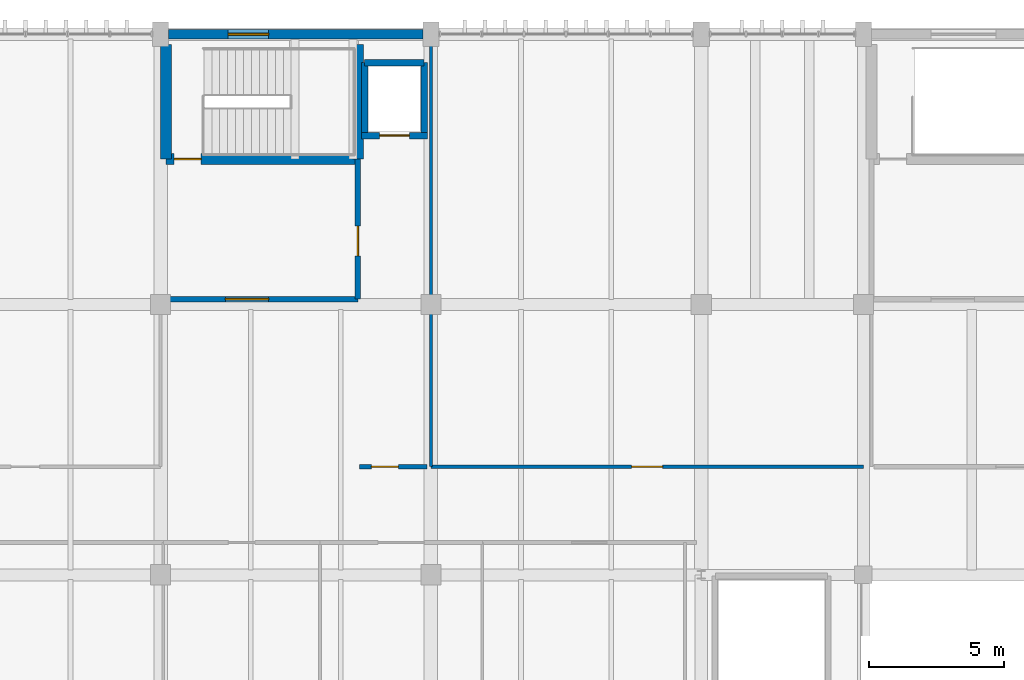
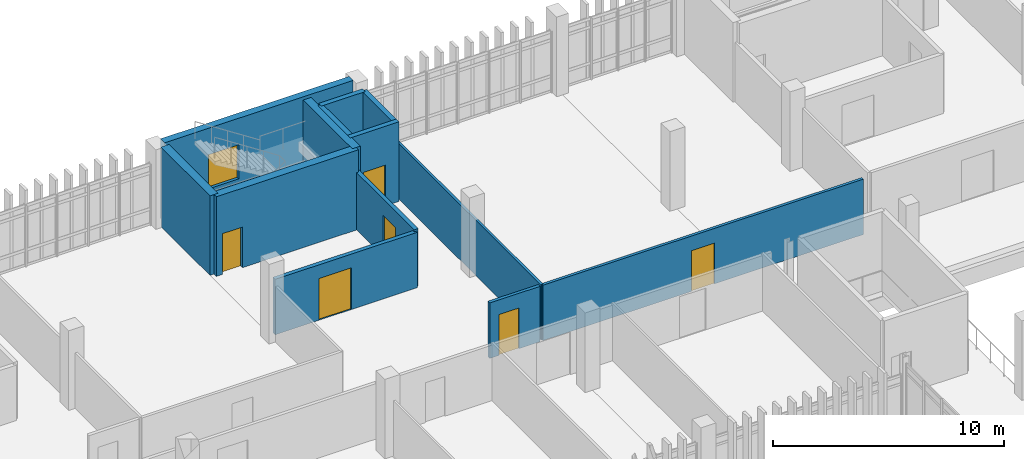
# One storey, part 149 of 161: 13 walls, 6 doors, 1 window, 7 openings.
"""IFC4 building model written with IfcOpenShell, lengths in metres."""

from ifc_helpers import new_model, si_unit, direction, frame, frame_2d, origin, place, context, subcontext, project, spatial, rectangle, extrude, material, layer, layer_set, type_object, element, fill, save


model = new_model("IFC4")

# Units and contexts
model_context = context("Model", 3, precision=1e-05, world=origin(), true_north=direction((0.0, 1.0)))
body_context = subcontext(model_context, "Body", "Model", "MODEL_VIEW")
ifc_project = project(units=[si_unit("LENGTHUNIT", "METRE"), si_unit("AREAUNIT", "SQUARE_METRE"), si_unit("VOLUMEUNIT", "CUBIC_METRE"), si_unit("PLANEANGLEUNIT", "RADIAN"), si_unit("MASSUNIT", "GRAM", prefix="KILO")], contexts=[model_context])

# Site, building, storey
site_placement = place(None, origin())
site = spatial("IfcSite", under=ifc_project, at=site_placement, CompositionType="ELEMENT")
building_placement = place(site_placement, origin())
building = spatial("IfcBuilding", under=site, at=building_placement, Name="Mersad Railyard Sports Hall", CompositionType="ELEMENT")
storey_placement = place(building_placement, frame((0.0, 0.0, 4.800048828125)))
storey = spatial("IfcBuildingStorey", under=building, at=storey_placement, Name="L01", CompositionType="ELEMENT", Elevation=4.800048828125)

# Wall, opening, window
ifc_material_1 = material(Name="Architectural concrete C50/60", Category="concrete")
ifc_layer_1 = layer(ifc_material_1, 0.35009765625)
ifc_layer_set_1 = layer_set([ifc_layer_1], Name="Architectural concrete C50/60")
wall_type_1 = type_object("IfcWallType", Name="ARC-WL-EW02", PredefinedType="SOLIDWALL", material=ifc_layer_set_1)
wall_1_placement = place(storey_placement, frame((111.300048828125, 115.0, 0.0), z_axis=(0.0, 0.0, 1.0), x_axis=(1.0, 0.0, 0.0)))
wall_1 = element("IfcWall", 1, at=wall_1_placement, inside=storey, type_object=wall_type_1, Name="External wall EW02-0113", PredefinedType="SOLIDWALL", context=body_context, shape_type="SweptSolid", body=[
    extrude(rectangle(XDim=9.39990234375, YDim=0.35009765625, at=frame_2d((4.699951171875, 0.0))), origin(), (0.0, 0.0, 1.0), 4.199951171875),
])
opening_1_placement = place(wall_1_placement, frame((2.199951171875, 0.0, 1.0)))
opening_1 = element("IfcOpeningElement", 2, at=opening_1_placement, cuts=wall_1, Name="Opening W10", PredefinedType="OPENING", context=body_context, shape_type="SweptSolid", body=[
    extrude(rectangle(XDim=1.5, YDim=1.800048828125, at=frame_2d((0.75, 0.89990234375))), frame((0.0, 0.18505859375, 0.0), z_axis=(0.0, -1.0, 0.0), x_axis=(1.0, 0.0, 0.0)), (0.0, 0.0, 1.0), 0.3701171875),
])
ifc_material_2 = material(Name="Solar-control glass", Category="glass")
window_type = type_object("IfcWindowType", Name="ARC-WN-W10", PartitioningType="SINGLE_PANEL", PredefinedType="WINDOW", material=ifc_material_2)
window_placement = place(opening_1_placement, origin())
window = element("IfcWindow", 3, at=window_placement, inside=storey, type_object=window_type, Name="Window W10-0030", OverallHeight=1.800048828125, OverallWidth=1.5, PartitioningType="SINGLE_PANEL", PredefinedType="WINDOW", context=body_context, shape_type="SweptSolid", body=[
    extrude(rectangle(XDim=1.5, YDim=1.800048828125, at=frame_2d((0.75, 0.89990234375))), frame((0.0, 0.030029296875, 0.0), z_axis=(0.0, -1.0, 0.0), x_axis=(1.0, 0.0, 0.0)), (0.0, 0.0, 1.0), 0.06005859375),
])
fill(opening_1, window)

# Wall, opening, door
ifc_material_3 = material(Name="Precast concrete C45/55", Category="concrete")
ifc_layer_2 = layer(ifc_material_3, 0.199951171875)
ifc_layer_set_2 = layer_set([ifc_layer_2], Name="Precast concrete C45/55")
wall_type_2 = type_object("IfcWallType", Name="ARC-WL-PT01", PredefinedType="PARTITIONING", material=ifc_layer_set_2)
wall_2_placement = place(storey_placement, frame((111.199951171875, 105.199951171875, 0.0), z_axis=(0.0, 0.0, 1.0), x_axis=(1.0, 0.0, 0.0)))
wall_2 = element("IfcWall", 4, at=wall_2_placement, inside=storey, type_object=wall_type_2, Name="Interior wall PT01-0250", PredefinedType="PARTITIONING", context=body_context, shape_type="SweptSolid", body=[
    extrude(rectangle(XDim=7.10009765625, YDim=0.199951171875, at=frame_2d((3.550048828125, 0.0))), origin(), (0.0, 0.0, 1.0), 2.925048828125),
])
opening_2_placement = place(wall_2_placement, frame((2.199951171875, 0.0, 0.0)))
opening_2 = element("IfcOpeningElement", 5, at=opening_2_placement, cuts=wall_2, Name="Opening FD04", PredefinedType="OPENING", context=body_context, shape_type="SweptSolid", body=[
    extrude(rectangle(XDim=1.60009765625, YDim=2.199951171875, at=frame_2d((0.800048828125, 1.10009765625))), frame((0.0, 0.10986328125, 0.0), z_axis=(0.0, -1.0, 0.0), x_axis=(1.0, 0.0, 0.0)), (0.0, 0.0, 1.0), 0.219970703125),
])
ifc_material_4 = material(Name="Steel S355", Category="steel")
door_type_1 = type_object("IfcDoorType", Name="ARC-DR-FD04", OperationType="NOTDEFINED", PredefinedType="DOOR", material=ifc_material_4)
door_1_placement = place(opening_2_placement, origin())
door_1 = element("IfcDoor", 6, at=door_1_placement, inside=storey, type_object=door_type_1, Name="C3 firefighting lobby door FD04-0106", OperationType="DOUBLE_DOOR_SINGLE_SWING", OverallHeight=2.199951171875, OverallWidth=1.60009765625, PredefinedType="DOOR", context=body_context, shape_type="SweptSolid", body=[
    extrude(rectangle(XDim=1.60009765625, YDim=2.199951171875, at=frame_2d((0.800048828125, 1.10009765625))), frame((0.0, 0.02490234375, 0.0), z_axis=(0.0, -1.0, 0.0), x_axis=(1.0, 0.0, 0.0)), (0.0, 0.0, 1.0), 0.050048828125),
])
fill(opening_2, door_1)

wall_3_placement = place(storey_placement, frame((118.300048828125, 105.199951171875, 0.0), z_axis=(0.0, 0.0, 1.0), x_axis=(0.0, 1.0, 0.0)))
wall_3 = element("IfcWall", 7, at=wall_3_placement, inside=storey, type_object=wall_type_2, Name="Interior wall PT01-0251", PredefinedType="PARTITIONING", context=body_context, shape_type="SweptSolid", body=[
    extrude(rectangle(XDim=5.179931640625, YDim=0.199951171875, at=frame_2d((2.58984375, 0.0))), origin(), (0.0, 0.0, 1.0), 3.02490234375),
])
opening_3_placement = place(wall_3_placement, frame((1.60009765625, 0.0, 0.0)))
opening_3 = element("IfcOpeningElement", 8, at=opening_3_placement, cuts=wall_3, Name="Opening FD01", PredefinedType="OPENING", context=body_context, shape_type="SweptSolid", body=[
    extrude(rectangle(XDim=1.10009765625, YDim=2.14990234375, at=frame_2d((0.550048828125, 1.074951171875))), frame((0.0, 0.10986328125, 0.0), z_axis=(0.0, -1.0, 0.0), x_axis=(1.0, 0.0, 0.0)), (0.0, 0.0, 1.0), 0.219970703125),
])
door_type_2 = type_object("IfcDoorType", Name="ARC-DR-FD01", OperationType="NOTDEFINED", PredefinedType="DOOR", material=ifc_material_4)
door_2_placement = place(opening_3_placement, origin())
door_2 = element("IfcDoor", 9, at=door_2_placement, inside=storey, type_object=door_type_2, Name="C3 lift-to-firefighting lobby door FD01-0107", OperationType="SINGLE_SWING_RIGHT", OverallHeight=2.14990234375, OverallWidth=1.10009765625, PredefinedType="DOOR", context=body_context, shape_type="SweptSolid", body=[
    extrude(rectangle(XDim=1.10009765625, YDim=2.14990234375, at=frame_2d((0.550048828125, 1.074951171875))), frame((0.0, 0.02490234375, 0.0), z_axis=(0.0, -1.0, 0.0), x_axis=(1.0, 0.0, 0.0)), (0.0, 0.0, 1.0), 0.050048828125),
])
fill(opening_3, door_2)

ifc_material_5 = material(Name="Gypsum plasterboard", Category="gypsum")
ifc_layer_3 = layer(ifc_material_5, 0.159912109375)
ifc_layer_set_3 = layer_set([ifc_layer_3], Name="Gypsum plasterboard")
wall_type_3 = type_object("IfcWallType", Name="ARC-WL-PT02", PredefinedType="PARTITIONING", material=ifc_layer_set_3)
wall_4_placement = place(storey_placement, frame((118.35009765625, 99.0, 0.0), z_axis=(0.0, 0.0, 1.0), x_axis=(1.0, 0.0, 0.0)))
wall_4 = element("IfcWall", 10, at=wall_4_placement, inside=storey, type_object=wall_type_3, Name="Interior wall PT02-0252", PredefinedType="PARTITIONING", context=body_context, shape_type="SweptSolid", body=[
    extrude(rectangle(XDim=2.5, YDim=0.159912109375, at=frame_2d((1.25, 0.0))), origin(), (0.0, 0.0, 1.0), 2.925048828125),
])
opening_4_placement = place(wall_4_placement, frame((0.449951171875, 0.0, 0.0)))
opening_4 = element("IfcOpeningElement", 11, at=opening_4_placement, cuts=wall_4, Name="Opening FD02", PredefinedType="OPENING", context=body_context, shape_type="SweptSolid", body=[
    extrude(rectangle(XDim=1.0, YDim=2.14990234375, at=frame_2d((0.5, 1.074951171875))), frame((0.0, 0.08984375, 0.0), z_axis=(0.0, -1.0, 0.0), x_axis=(1.0, 0.0, 0.0)), (0.0, 0.0, 1.0), 0.179931640625),
])
door_type_3 = type_object("IfcDoorType", Name="ARC-DR-FD02", OperationType="NOTDEFINED", PredefinedType="DOOR", material=ifc_material_4)
door_3_placement = place(opening_4_placement, origin())
door_3 = element("IfcDoor", 12, at=door_3_placement, inside=storey, type_object=door_type_3, Name="C3 lift lobby corridor door FD02-0108", OperationType="SINGLE_SWING_LEFT", OverallHeight=2.14990234375, OverallWidth=1.0, PredefinedType="DOOR", context=body_context, shape_type="SweptSolid", body=[
    extrude(rectangle(XDim=1.0, YDim=2.14990234375, at=frame_2d((0.5, 1.074951171875))), frame((0.0, 0.02490234375, 0.0), z_axis=(0.0, -1.0, 0.0), x_axis=(1.0, 0.0, 0.0)), (0.0, 0.0, 1.0), 0.050048828125),
])
fill(opening_4, door_3)

ifc_layer_4 = layer(ifc_material_5, 0.139892578125)
ifc_layer_set_4 = layer_set([ifc_layer_4], Name="Gypsum plasterboard")
wall_type_4 = type_object("IfcWallType", Name="ARC-WL-PT03", PredefinedType="PARTITIONING", material=ifc_layer_set_4)
wall_5_placement = place(storey_placement, frame((121.0, 99.0, 0.0), z_axis=(0.0, 0.0, 1.0), x_axis=(1.0, 0.0, 0.0)))
wall_5 = element("IfcWall", 13, at=wall_5_placement, inside=storey, type_object=wall_type_4, Name="Interior wall PT03-0451", PredefinedType="PARTITIONING", context=body_context, shape_type="SweptSolid", body=[
    extrude(rectangle(XDim=16.0, YDim=0.139892578125, at=frame_2d((8.0, 0.0))), origin(), (0.0, 0.0, 1.0), 2.925048828125),
])
opening_5_placement = place(wall_5_placement, frame((7.425048828125, 0.0, 0.0)))
opening_5 = element("IfcOpeningElement", 14, at=opening_5_placement, cuts=wall_5, Name="Opening FD08", PredefinedType="OPENING", context=body_context, shape_type="SweptSolid", body=[
    extrude(rectangle(XDim=1.14990234375, YDim=2.14990234375, at=frame_2d((0.574951171875, 1.074951171875))), frame((0.0, 0.079833984375, 0.0), z_axis=(0.0, -1.0, 0.0), x_axis=(1.0, 0.0, 0.0)), (0.0, 0.0, 1.0), 0.159912109375),
])
door_type_4 = type_object("IfcDoorType", Name="ARC-DR-FD08", OperationType="NOTDEFINED", PredefinedType="DOOR", material=ifc_material_4)
door_4_placement = place(opening_5_placement, origin())
door_4 = element("IfcDoor", 15, at=door_4_placement, inside=storey, type_object=door_type_4, Name="L01 north room door FD08-0202", OperationType="SINGLE_SWING_LEFT", OverallHeight=2.14990234375, OverallWidth=1.14990234375, PredefinedType="DOOR", context=body_context, shape_type="SweptSolid", body=[
    extrude(rectangle(XDim=1.14990234375, YDim=2.14990234375, at=frame_2d((0.574951171875, 1.074951171875))), frame((0.0, 0.02490234375, 0.0), z_axis=(0.0, -1.0, 0.0), x_axis=(1.0, 0.0, 0.0)), (0.0, 0.0, 1.0), 0.050048828125),
])
fill(opening_5, door_4)

# Wall
ifc_layer_5 = layer(ifc_material_5, 0.1201171875)
ifc_layer_set_5 = layer_set([ifc_layer_5], Name="Gypsum plasterboard")
wall_type_5 = type_object("IfcWallType", Name="ARC-WL-PT04", PredefinedType="PARTITIONING", material=ifc_layer_set_5)
wall_6_placement = place(storey_placement, frame((121.0, 99.0, 0.0), z_axis=(0.0, 0.0, 1.0), x_axis=(0.0, 1.0, 0.0)))
element("IfcWall", 16, at=wall_6_placement, inside=storey, type_object=wall_type_5, Name="Interior wall PT04-0452", PredefinedType="PARTITIONING", context=body_context, shape_type="SweptSolid", body=[
    extrude(rectangle(XDim=15.75, YDim=0.1201171875, at=frame_2d((7.875, 0.0))), origin(), (0.0, 0.0, 1.0), 2.925048828125),
])

# Wall, opening, door
ifc_material_6 = material(Name="Concrete C50/60", Category="concrete")
ifc_layer_6 = layer(ifc_material_6, 0.39990234375)
ifc_layer_set_6 = layer_set([ifc_layer_6], Name="Concrete C50/60")
wall_type_6 = type_object("IfcWallType", Name="STR-WL-SW01", PredefinedType="SHEAR", material=ifc_layer_set_6)
wall_7_placement = place(storey_placement, frame((111.199951171875, 110.3798828125, 0.0), z_axis=(0.0, 0.0, 1.0), x_axis=(1.0, 0.0, 0.0)))
wall_7 = element("IfcWall", 17, at=wall_7_placement, inside=storey, type_object=wall_type_6, Name="Interior wall SW01-0247", PredefinedType="SHEAR", context=body_context, shape_type="SweptSolid", body=[
    extrude(rectangle(XDim=7.10009765625, YDim=0.39990234375, at=frame_2d((3.550048828125, 0.0))), origin(), (0.0, 0.0, 1.0), 4.199951171875),
])
opening_6_placement = place(wall_7_placement, frame((0.300048828125, 0.0, 0.0)))
opening_6 = element("IfcOpeningElement", 18, at=opening_6_placement, cuts=wall_7, Name="Opening FD02", PredefinedType="OPENING", context=body_context, shape_type="SweptSolid", body=[
    extrude(rectangle(XDim=1.0, YDim=2.14990234375, at=frame_2d((0.5, 1.074951171875))), frame((0.0, 0.2099609375, 0.0), z_axis=(0.0, -1.0, 0.0), x_axis=(1.0, 0.0, 0.0)), (0.0, 0.0, 1.0), 0.419921875),
])
door_5_placement = place(opening_6_placement, origin())
door_5 = element("IfcDoor", 19, at=door_5_placement, inside=storey, type_object=door_type_3, Name="C3 stair entrance door FD02-0105", OperationType="SINGLE_SWING_LEFT", OverallHeight=2.14990234375, OverallWidth=1.0, PredefinedType="DOOR", context=body_context, shape_type="SweptSolid", body=[
    extrude(rectangle(XDim=1.0, YDim=2.14990234375, at=frame_2d((0.5, 1.074951171875))), frame((0.0, 0.02490234375, 0.0), z_axis=(0.0, -1.0, 0.0), x_axis=(1.0, 0.0, 0.0)), (0.0, 0.0, 1.0), 0.050048828125),
])
fill(opening_6, door_5)

# Walls
for number, where, z_axis, x_axis, name in (
    (20, (118.300048828125, 110.3798828125, 0.0), (0.0, 0.0, 1.0), (0.0, 1.0, 0.0), "Interior wall SW01-0248"),
    (21, (111.199951171875, 114.6201171875, 0.0), (0.0, 0.0, 1.0), (0.0, -1.0, 0.0), "Interior wall SW01-0249"),
):
    element("IfcWall", number, at=place(storey_placement, frame(where, z_axis=z_axis, x_axis=x_axis)), inside=storey, type_object=wall_type_6, Name=name, PredefinedType="SHEAR", context=body_context, shape_type="SweptSolid", body=[
        extrude(rectangle(XDim=4.240234375, YDim=0.39990234375, at=frame_2d((2.1201171875, 0.0))), origin(), (0.0, 0.0, 1.0), 4.199951171875),
    ])
ifc_material_7 = material(Name="Concrete C40/50", Category="concrete")
ifc_layer_7 = layer(ifc_material_7, 0.239990234375)
ifc_layer_set_7 = layer_set([ifc_layer_7], Name="Concrete C40/50")
wall_type_7 = type_object("IfcWallType", Name="STR-WL-SW03", PredefinedType="SHEAR", material=ifc_layer_set_7)
for number, where, z_axis, x_axis, name in (
    (22, (118.550048828125, 111.25, 0.0), (0.0, 0.0, 1.0), (0.0, 1.0, 0.0), "Interior wall SW03-0062"),
    (23, (120.75, 113.949951171875, 0.0), (0.0, 0.0, 1.0), (0.0, -1.0, 0.0), "Interior wall SW03-0063"),
):
    element("IfcWall", number, at=place(storey_placement, frame(where, z_axis=z_axis, x_axis=x_axis)), inside=storey, type_object=wall_type_7, Name=name, PredefinedType="SHEAR", context=body_context, shape_type="SweptSolid", body=[
        extrude(rectangle(XDim=2.699951171875, YDim=0.239990234375, at=frame_2d((1.35009765625, 0.0))), origin(), (0.0, 0.0, 1.0), 4.199951171875),
    ])
wall_8_placement = place(storey_placement, frame((118.550048828125, 113.949951171875, 0.0), z_axis=(0.0, 0.0, 1.0), x_axis=(1.0, 0.0, 0.0)))
element("IfcWall", 24, at=wall_8_placement, inside=storey, type_object=wall_type_7, Name="Interior wall SW03-0064", PredefinedType="SHEAR", context=body_context, shape_type="SweptSolid", body=[
    extrude(rectangle(XDim=2.199951171875, YDim=0.239990234375, at=frame_2d((1.10009765625, 0.0))), origin(), (0.0, 0.0, 1.0), 4.199951171875),
])

# Wall, opening, door
wall_9_placement = place(storey_placement, frame((120.8701171875, 111.25, 0.0), z_axis=(0.0, 0.0, 1.0), x_axis=(-1.0, 0.0, 0.0)))
wall_9 = element("IfcWall", 25, at=wall_9_placement, inside=storey, type_object=wall_type_7, Name="Interior wall SW03-0065", PredefinedType="SHEAR", context=body_context, shape_type="SweptSolid", body=[
    extrude(rectangle(XDim=2.440185546875, YDim=0.239990234375, at=frame_2d((1.22021484375, 0.0))), origin(), (0.0, 0.0, 1.0), 4.199951171875),
])
opening_7_placement = place(wall_9_placement, frame((0.669921875, 0.0, 0.0)))
opening_7 = element("IfcOpeningElement", 26, at=opening_7_placement, cuts=wall_9, Name="Opening LD01", PredefinedType="OPENING", context=body_context, shape_type="SweptSolid", body=[
    extrude(rectangle(XDim=1.10009765625, YDim=2.14990234375, at=frame_2d((0.550048828125, 1.074951171875))), frame((0.0, 0.1298828125, 0.0), z_axis=(0.0, -1.0, 0.0), x_axis=(1.0, 0.0, 0.0)), (0.0, 0.0, 1.0), 0.260009765625),
])
door_type_5 = type_object("IfcDoorType", Name="ARC-DR-LD01", OperationType="NOTDEFINED", PredefinedType="USERDEFINED", material=ifc_material_4)
door_6_placement = place(opening_7_placement, origin())
door_6 = element("IfcDoor", 27, at=door_6_placement, inside=storey, type_object=door_type_5, Name="Lift PL-03 landing door LD01-0017", ObjectType="LANDING DOOR", OperationType="DOUBLE_DOOR_SLIDING", OverallHeight=2.14990234375, OverallWidth=1.10009765625, PredefinedType="USERDEFINED", context=body_context, shape_type="SweptSolid", body=[
    extrude(rectangle(XDim=1.10009765625, YDim=2.14990234375, at=frame_2d((0.550048828125, 1.074951171875))), frame((0.0, 0.02490234375, 0.0), z_axis=(0.0, -1.0, 0.0), x_axis=(1.0, 0.0, 0.0)), (0.0, 0.0, 1.0), 0.050048828125),
])
fill(opening_7, door_6)

save(model, "model.ifc")
